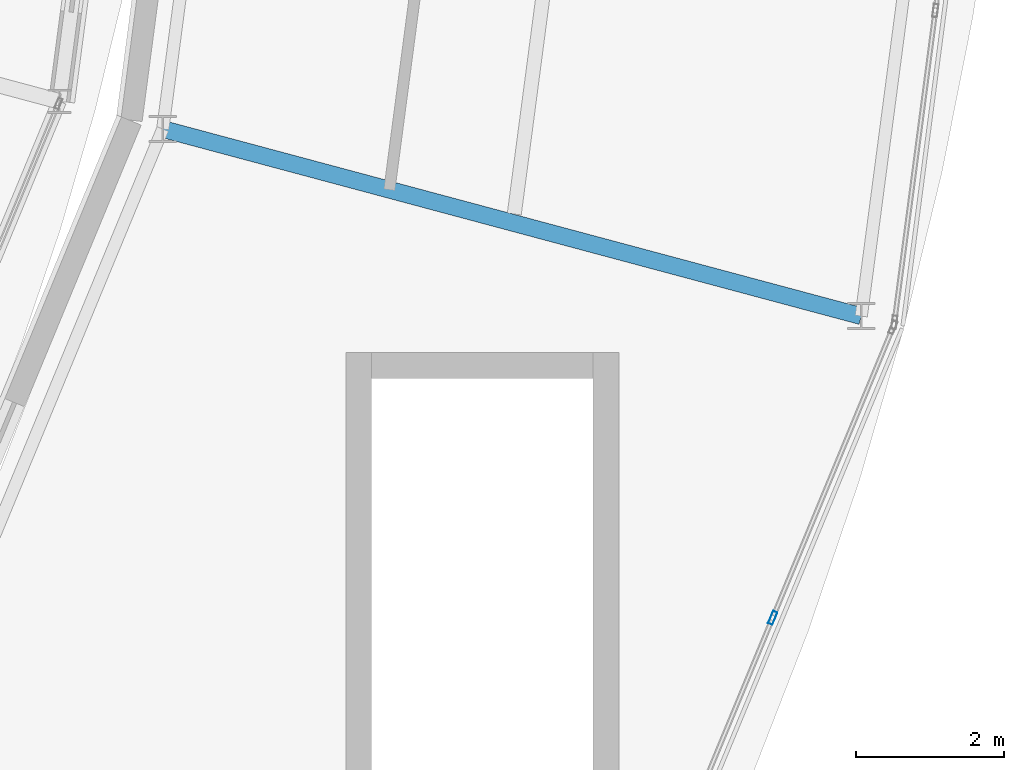
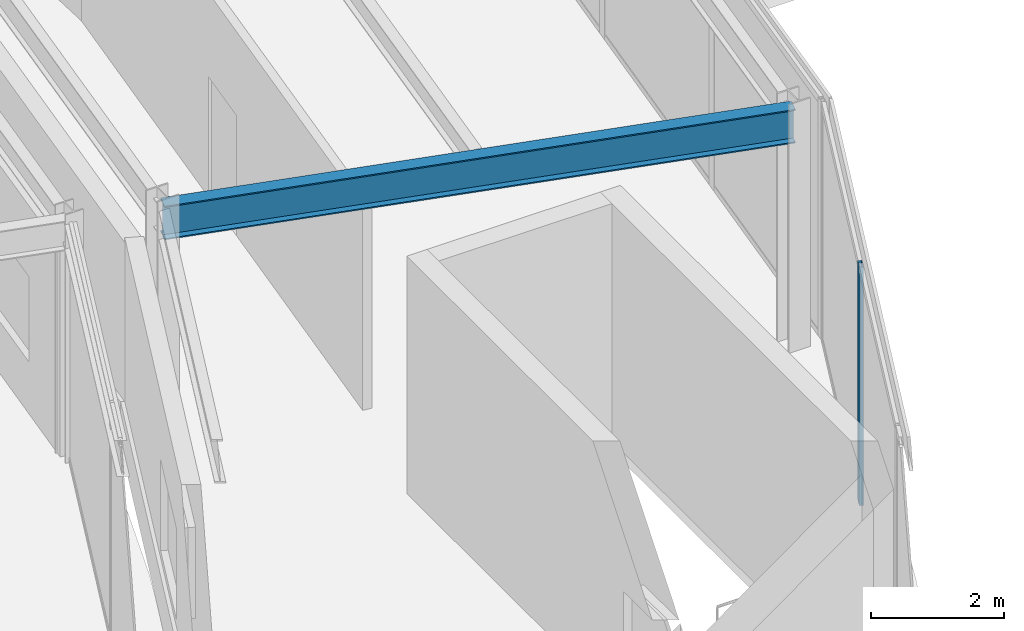
# One storey, part 47 of 157: 1 beam, 1 member, 1 element without a shape of its own.
"""IFC4 building model written with IfcOpenShell, lengths in metres."""

import ifcopenshell
import ifcopenshell.guid

model = None  # the IFC model being written
_history = None  # IfcOwnerHistory: only IFC2X3 demands one
_inside = {}  # id of a spatial element -> (the spatial element, [elements in it])
_under = {}  # id of a project, library or spatial element -> (it, [spatial elements below it])
_declared = {}  # id of a project -> (the project, [libraries it declares])
_typed = {}  # id of a type object -> (the type object, [elements of that type])
_made_of = {}  # id of a material, layer set ... -> (it, [elements and type objects made of it])


def new_model(schema):
    """Start an empty IFC model of exactly this schema.

    Asked for "IFC4X3", IfcOpenShell would pick the latest addendum, in which some entities
    have other attributes; the version numbers below select the first issue.
    IFC2X3 requires an IfcOwnerHistory on every rooted entity: one is made here for all.
    """
    global model, _history
    if schema == "IFC4X3":
        model = ifcopenshell.file(schema_version=(4, 3, 0, 0))
    else:
        model = ifcopenshell.file(schema=schema)
    _inside.clear()
    _under.clear()
    _declared.clear()
    _typed.clear()
    _made_of.clear()
    _history = None
    if model.schema == "IFC2X3":
        org = make("IfcOrganization", Name="unknown")
        user = make(
            "IfcPersonAndOrganization",
            ThePerson=make("IfcPerson", FamilyName="unknown"),
            TheOrganization=org,
        )
        app = make(
            "IfcApplication",
            ApplicationDeveloper=org,
            Version="unknown",
            ApplicationFullName="unknown",
            ApplicationIdentifier="unknown",
        )
        _history = make(
            "IfcOwnerHistory",
            OwningUser=user,
            OwningApplication=app,
            ChangeAction="ADDED",
            CreationDate=0,
        )
    return model


def make(cls, **values):
    """One entity of the class cls with the attributes given. An attribute that is None is left unset."""
    return model.create_entity(
        cls, **{name: value for name, value in values.items() if value is not None}
    )


def rooted(cls, **values):
    """An entity with a GlobalId (a new one), such as an element, a storey or a relation."""
    return make(cls, GlobalId=ifcopenshell.guid.new(), OwnerHistory=_history, **values)


def si_unit(unit_type, name, prefix=None):
    """IfcSIUnit, for example si_unit("LENGTHUNIT", "METRE", prefix="MILLI")."""
    return make("IfcSIUnit", UnitType=unit_type, Prefix=prefix, Name=name)


def assignment(units):
    """IfcUnitAssignment: the units of a project."""
    return None if units is None else make("IfcUnitAssignment", Units=units)


def point(xyz):
    """IfcCartesianPoint."""
    return None if xyz is None else make("IfcCartesianPoint", Coordinates=xyz)


def direction(xyz):
    """IfcDirection."""
    return None if xyz is None else make("IfcDirection", DirectionRatios=xyz)


def frame(location, z_axis=None, x_axis=None):
    """IfcAxis2Placement3D, a coordinate frame: its origin and axes. An axis left out is left unset."""
    return make(
        "IfcAxis2Placement3D",
        Location=point(location),
        Axis=direction(z_axis),
        RefDirection=direction(x_axis),
    )


def frame_2d(location, x_axis=None):
    """IfcAxis2Placement2D, a coordinate frame in the plane: its origin and x axis."""
    return make(
        "IfcAxis2Placement2D", Location=point(location), RefDirection=direction(x_axis)
    )


def origin():
    """The frame at (0, 0, 0) with its axes left unset."""
    return frame((0.0, 0.0, 0.0))


def origin_2d():
    """The frame at (0, 0) in the plane with its x axis left unset."""
    return frame_2d((0.0, 0.0))


def place(relative_to, where):
    """IfcLocalPlacement: puts the frame where relative to a parent placement (None: the world)."""
    return make(
        "IfcLocalPlacement", PlacementRelTo=relative_to, RelativePlacement=where
    )


def context(
    kind, dimensions, precision=None, world=None, true_north=None, identifier=None
):
    """IfcGeometricRepresentationContext, for example the 3D "Model" context."""
    return make(
        "IfcGeometricRepresentationContext",
        ContextIdentifier=identifier,
        ContextType=kind,
        CoordinateSpaceDimension=dimensions,
        Precision=precision,
        WorldCoordinateSystem=world,
        TrueNorth=true_north,
    )


def subcontext(parent, identifier, kind, view, scale=None):
    """IfcGeometricRepresentationSubContext, for example "Body" below "Model"."""
    return make(
        "IfcGeometricRepresentationSubContext",
        ContextIdentifier=identifier,
        ContextType=kind,
        ParentContext=parent,
        TargetScale=scale,
        TargetView=view,
    )


def project(units=None, contexts=None):
    """IfcProject with its units and contexts."""
    return rooted(
        "IfcProject",
        Name="project",
        RepresentationContexts=contexts,
        UnitsInContext=assignment(units),
    )


def spatial(cls, under=None, at=None, **own):
    """A site, building, storey or space (cls), placed at a placement, below another one or the project."""
    s = rooted(cls, ObjectPlacement=at, **own)
    if under is not None:
        _under.setdefault(under.id(), (under, []))[1].append(s)
    return s


def profile(cls, at=None, kind="AREA", **sizes):
    """A parametric profile (cls). Its sizes go by their IFC names, for example OverallWidth=200.0."""
    return make(cls, ProfileType=kind, Position=at, **sizes)


def hollow_rectangle(**sizes):
    """IfcRectangleHollowProfileDef."""
    return profile("IfcRectangleHollowProfileDef", **sizes)


def i_section(**sizes):
    """IfcIShapeProfileDef."""
    return profile("IfcIShapeProfileDef", **sizes)


def extrude(swept, where, along, depth):
    """IfcExtrudedAreaSolid: the profile swept, set in the frame where, extruded along a direction by depth."""
    return make(
        "IfcExtrudedAreaSolid",
        SweptArea=swept,
        Position=where,
        ExtrudedDirection=direction(along),
        Depth=depth,
    )


def shape(context_of_items, identifier, shape_type, items):
    """IfcShapeRepresentation: the items that make up one representation, for example the "Body"."""
    return make(
        "IfcShapeRepresentation",
        ContextOfItems=context_of_items,
        RepresentationIdentifier=identifier,
        RepresentationType=shape_type,
        Items=items,
    )


def material(Name=None, Category=None):
    """IfcMaterial."""
    return make("IfcMaterial", Name=Name, Category=Category)


def material_profile(
    of_material, cross_section, Name=None, Category=None, Priority=None
):
    """IfcMaterialProfile: a cross section and its material."""
    return make(
        "IfcMaterialProfile",
        Name=Name,
        Material=of_material,
        Profile=cross_section,
        Priority=Priority,
        Category=Category,
    )


def profile_set(profiles, Name=None, composite=None):
    """IfcMaterialProfileSet."""
    return make(
        "IfcMaterialProfileSet",
        Name=Name,
        MaterialProfiles=profiles,
        CompositeProfile=composite,
    )


def made_of(thing, what):
    """Note that an element or type object is made of a material, layer set ...; save() writes the relation."""
    if what is not None:
        _made_of.setdefault(what.id(), (what, []))[1].append(thing)
    return thing


def type_object(cls, material=None, **own):
    """A type object (cls), such as IfcWallType, which elements share."""
    return made_of(rooted(cls, **own), material)


def element(
    cls,
    number,
    at=None,
    inside=None,
    cuts=None,
    type_object=None,
    material=None,
    context=None,
    identifier="Body",
    shape_type=None,
    held_by="IfcProductDefinitionShape",
    body=None,
    shapes=None,
    **own,
):
    """One element of the class cls, such as IfcWall. Its Tag is "e" and its number.

    at: its placement. inside: the storey or other place that contains it. cuts: it is an
    opening in that element (IfcRelVoidsElement). A single representation is given by context,
    identifier, shape_type and body (its items); several are given by shapes. held_by: the class
    of the entity that holds the representations. save() writes the other relations.
    """
    e = rooted(cls, Tag="e%d" % number, ObjectPlacement=at, **own)
    if body is not None:
        shapes = [shape(context, identifier, shape_type, body)]
    if shapes is not None:
        e.Representation = make(held_by, Representations=shapes)
    if inside is not None:
        _inside.setdefault(inside.id(), (inside, []))[1].append(e)
    if cuts is not None:
        rooted(
            "IfcRelVoidsElement", RelatingBuildingElement=cuts, RelatedOpeningElement=e
        )
    if type_object is not None:
        _typed.setdefault(type_object.id(), (type_object, []))[1].append(e)
    return made_of(e, material)


def aggregate(whole, parts):
    """IfcRelAggregates: a whole, such as a stair, and the parts it consists of."""
    return rooted("IfcRelAggregates", RelatingObject=whole, RelatedObjects=parts)


def save(model, path):
    """Write the relations noted so far, then the file.

    IfcRelAggregates (storeys below a building ...), IfcRelContainedInSpatialStructure (elements
    in a storey), IfcRelDefinesByType, IfcRelAssociatesMaterial and IfcRelDeclares: one each for
    every whole, place, type object, material and project.
    """
    for whole, parts in _under.values():
        aggregate(whole, parts)
    for where, things in _inside.values():
        rooted(
            "IfcRelContainedInSpatialStructure",
            RelatedElements=things,
            RelatingStructure=where,
        )
    for kind, things in _typed.values():
        rooted("IfcRelDefinesByType", RelatedObjects=things, RelatingType=kind)
    for what, things in _made_of.values():
        rooted("IfcRelAssociatesMaterial", RelatedObjects=things, RelatingMaterial=what)
    for by, libraries in _declared.values():
        rooted("IfcRelDeclares", RelatingContext=by, RelatedDefinitions=libraries)
    model.write(path)


model = new_model("IFC4")

# Units and contexts
model_context = context("Model", 3, precision=1e-05, world=origin(), true_north=direction((0.0, 1.0)))
body_context = subcontext(model_context, "Body", "Model", "MODEL_VIEW")
ifc_project = project(units=[si_unit("LENGTHUNIT", "METRE"), si_unit("AREAUNIT", "SQUARE_METRE"), si_unit("VOLUMEUNIT", "CUBIC_METRE"), si_unit("PLANEANGLEUNIT", "RADIAN"), si_unit("MASSUNIT", "GRAM", prefix="KILO")], contexts=[model_context])

# Site, building, storey
site_placement = place(None, origin())
site = spatial("IfcSite", under=ifc_project, at=site_placement, CompositionType="ELEMENT")
building_placement = place(site_placement, origin())
building = spatial("IfcBuilding", under=site, at=building_placement, Name="Almandine Court Research Institute", CompositionType="ELEMENT")
storey_placement = place(building_placement, frame((0.0, 0.0, 5.25)))
storey = spatial("IfcBuildingStorey", under=building, at=storey_placement, Name="L01", CompositionType="ELEMENT", Elevation=5.25)

# Beam
ifc_material_1 = material(Name="Steel ASTM A992 Grade 50", Category="steel")
ifc_material_profile_1 = material_profile(ifc_material_1, i_section(OverallWidth=0.22998046875, OverallDepth=0.616943359375, WebThickness=0.012939453125, FlangeThickness=0.02197265625, at=origin_2d()), Name="W610x140")
ifc_profile_set_1 = profile_set([ifc_material_profile_1], Name="Steel ASTM A992 Grade 50")
beam_type = type_object("IfcBeamType", Name="Beam-G-02", PredefinedType="BEAM", material=ifc_profile_set_1)
beam_placement = place(storey_placement, frame((124.76806640625, 45.8798828125, 4.06103515625), z_axis=(0.965937821551, -0.258774274024, 0.0), x_axis=(0.258774274024, 0.965937821551, 0.0)))
element("IfcBeam", 1, at=beam_placement, inside=storey, type_object=beam_type, Name="L01 Drum Radial Girder 23", PredefinedType="BEAM", context=body_context, shape_type="SweptSolid", body=[
    extrude(i_section(OverallWidth=0.22998046875, OverallDepth=0.616943359375, WebThickness=0.012939453125, FlangeThickness=0.02197265625, at=origin_2d()), origin(), (0.0, 0.0, 1.0), 9.799560546875),
])

# Curtain wall, member
ifc_material_2 = material(Name="Unitised Curtain Wall Framing and Solar Glazing", Category="glass")
curtain_wall_type = type_object("IfcCurtainWallType", Name="CW-CWJ-19", PredefinedType="USERDEFINED", material=ifc_material_2)
curtain_wall_placement = place(storey_placement, origin())
curtain_wall = element("IfcCurtainWall", 2, at=curtain_wall_placement, inside=storey, type_object=curtain_wall_type, Name="L01 Stacked-Ring Drum Outer Solar Jali Screen 22", ObjectType="SOLAR JALI SCREEN", PredefinedType="USERDEFINED")
ifc_material_3 = material(Name="Anodised Aluminium AW-6063-T6", Category="aluminium")
ifc_material_profile_2 = material_profile(ifc_material_3, hollow_rectangle(XDim=0.06494140625, YDim=0.179931640625, WallThickness=0.00390625, at=origin_2d()), Name="ALU RHS 65x180x4")
ifc_profile_set_2 = profile_set([ifc_material_profile_2], Name="Anodised Aluminium AW-6063-T6")
member_type = type_object("IfcMemberType", Name="CWMul-65x180", PredefinedType="MULLION", material=ifc_profile_set_2)
member_placement = place(storey_placement, frame((133.034423828125, 39.2548828125, 0.0), z_axis=(0.0, 0.0, 1.0), x_axis=(0.923888124321, -0.382662689242, 0.0)))
member = element("IfcMember", 3, at=member_placement, type_object=member_type, Name="CWJ-19 mullion 2", PredefinedType="MULLION", context=body_context, shape_type="SweptSolid", body=[
    extrude(hollow_rectangle(XDim=0.06494140625, YDim=0.179931640625, WallThickness=0.00390625, at=origin_2d()), origin(), (0.0, 0.0, 1.0), 4.3701171875),
])
aggregate(curtain_wall, [member])

save(model, "model.ifc")
